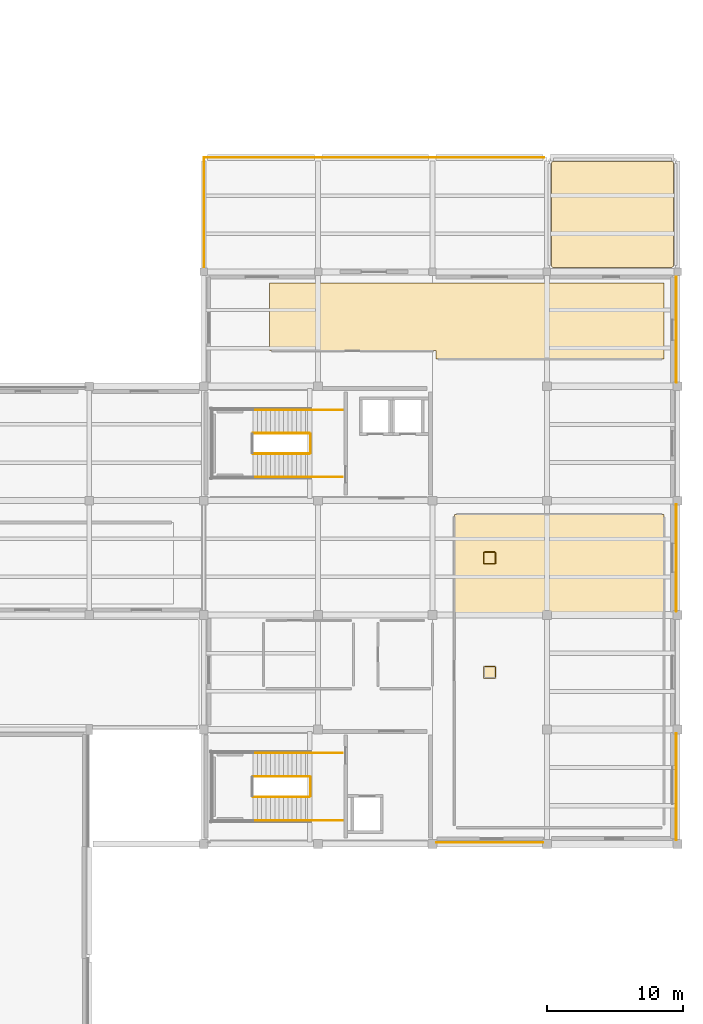
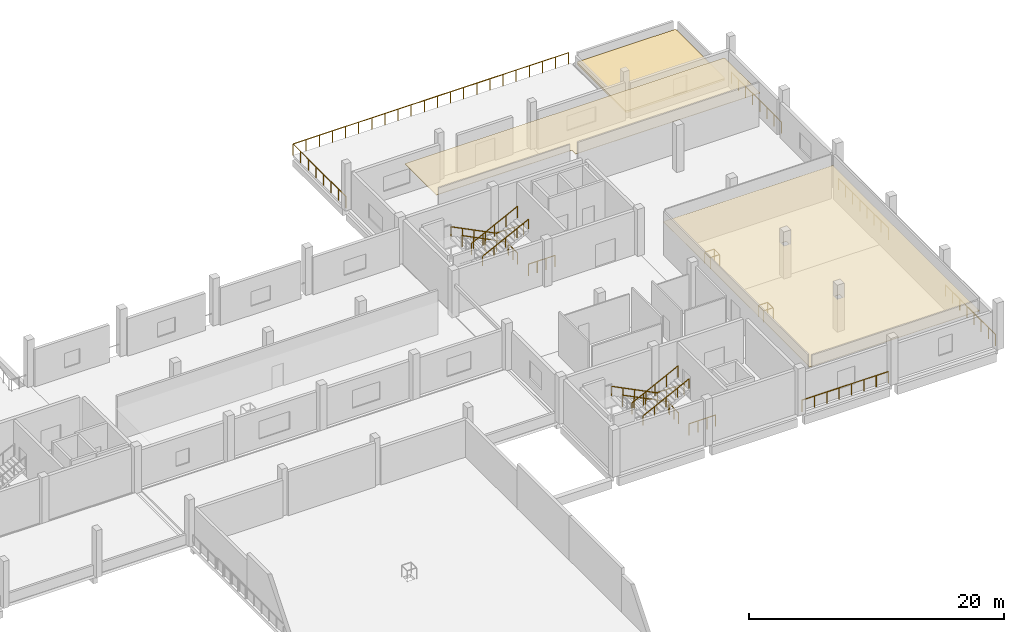
# One storey, part 46 of 46: 21 railings, 3 coverings.
"""IFC4 building model written with IfcOpenShell, lengths in metres."""

from ifc_helpers import new_model, si_unit, derived_unit, direction, frame, origin, origin_2d, place, context, subcontext, project, spatial, polyline, circle, outline, extrude, material, layer, layer_set, type_object, element, save


model = new_model("IFC4")

# Units and contexts
model_context = context("Model", 3, precision=1e-05, world=origin(), true_north=direction((0.0, 1.0)))
body_context = subcontext(model_context, "Body", "Model", "MODEL_VIEW")
ifc_project = project(units=[si_unit("LENGTHUNIT", "METRE"), si_unit("AREAUNIT", "SQUARE_METRE"), si_unit("VOLUMEUNIT", "CUBIC_METRE"), si_unit("PLANEANGLEUNIT", "RADIAN"), si_unit("MASSUNIT", "GRAM", prefix="KILO"), derived_unit("THERMALTRANSMITTANCEUNIT", [(si_unit("POWERUNIT", "WATT"), 1), (si_unit("LENGTHUNIT", "METRE"), -2), (si_unit("THERMODYNAMICTEMPERATUREUNIT", "KELVIN"), -1)])], contexts=[model_context])

# Site, building, storey
site_placement = place(None, origin())
site = spatial("IfcSite", under=ifc_project, at=site_placement, CompositionType="ELEMENT")
building_placement = place(site_placement, origin())
building = spatial("IfcBuilding", under=site, at=building_placement, Name="Elbkamm Science Centre", CompositionType="ELEMENT")
storey_placement = place(building_placement, frame((0.0, 0.0, 9.89990234375)))
storey = spatial("IfcBuildingStorey", under=building, at=storey_placement, Name="L02", CompositionType="ELEMENT", Elevation=9.89990234375)

# Coverings
ifc_material_1 = material(Name="Perforated acoustic mineral fibre ceiling tile")
ifc_layer_1 = layer(ifc_material_1, 0.0400390625)
ifc_layer_set_1 = layer_set([ifc_layer_1], Name="Perforated acoustic mineral fibre ceiling tile")
covering_type_1 = type_object("IfcCoveringType", Name="COV-CEIL-ACOUSTIC-40", PredefinedType="CEILING", material=ifc_layer_set_1)
covering_1_placement = place(storey_placement, frame((0.0, 0.0, 3.070068359375)))
element("IfcCovering", 1, at=covering_1_placement, inside=storey, type_object=covering_type_1, Name="L02 Robotics and Maker Workshop Acoustic Ceiling", PredefinedType="CEILING", context=body_context, shape_type="SweptSolid", body=[
    extrude(outline(polyline([(143.062744140625, 61.41552734375), (143.06103515625, 61.41650390625), (143.059326171875, 61.41748046875), (143.0576171875, 61.41845703125), (143.055908203125, 61.419189453125), (143.053955078125, 61.419677734375), (143.052001953125, 61.419921875), (143.050048828125, 61.419921875), (130.820068359375, 61.419921875), (130.820068359375, 66.3798828125), (159.780029296875, 66.3798828125), (159.780029296875, 60.820068359375), (143.070068359375, 60.820068359375), (143.070068359375, 61.39990234375), (143.06982421875, 61.402099609375), (143.069580078125, 61.40380859375), (143.069091796875, 61.40576171875), (143.068603515625, 61.40771484375), (143.067626953125, 61.409423828125), (143.066650390625, 61.4111328125), (143.0654296875, 61.41259765625), (143.064208984375, 61.4140625), (143.062744140625, 61.41552734375)])), origin(), (0.0, 0.0, 1.0), 0.0400390625),
])
covering_2_placement = place(storey_placement, frame((0.0, 0.0, 3.070068359375)))
element("IfcCovering", 2, at=covering_2_placement, inside=storey, type_object=covering_type_1, Name="L02 Climate Simulation Seminar Studio Acoustic Ceiling", PredefinedType="CEILING", context=body_context, shape_type="SweptSolid", body=[
    extrude(outline(polyline([(144.419921875, 26.419921875), (144.419921875, 49.3798828125), (159.780029296875, 49.3798828125), (159.780029296875, 26.419921875), (144.419921875, 26.419921875)]), holes=[polyline([(150.97998046875, 33.3798828125), (151.419921875, 33.3798828125), (151.419921875, 33.820068359375), (150.97998046875, 33.820068359375), (150.97998046875, 33.3798828125)]), polyline([(150.97998046875, 42.219970703125), (150.97998046875, 41.780029296875), (151.419921875, 41.780029296875), (151.419921875, 42.219970703125), (150.97998046875, 42.219970703125)])]), origin(), (0.0, 0.0, 1.0), 0.0400390625),
])
ifc_material_2 = material(Name="EPDM waterproof roofing membrane and mineral wool insulation")
ifc_layer_2 = layer(ifc_material_2, 0.179931640625)
ifc_layer_set_2 = layer_set([ifc_layer_2], Name="EPDM waterproof roofing membrane and mineral wool insulation")
covering_type_2 = type_object("IfcCoveringType", Name="COV-ROOFING-180", PredefinedType="ROOFING", material=ifc_layer_set_2)
covering_3_placement = place(storey_placement, origin())
element("IfcCovering", 3, at=covering_3_placement, inside=storey, type_object=covering_type_2, Name="L02 Insulated Roof Membrane Covering 10", PredefinedType="ROOFING", context=body_context, shape_type="SweptSolid", body=[
    extrude(outline(polyline([(160.496826171875, 67.65087890625), (160.493408203125, 67.636962890625), (160.488037109375, 67.62255859375), (160.48193359375, 67.609375), (160.474365234375, 67.5966796875), (160.4658203125, 67.585205078125), (160.455810546875, 67.57421875), (160.44482421875, 67.564208984375), (160.43310546875, 67.5556640625), (160.420654296875, 67.548095703125), (160.407470703125, 67.5419921875), (160.39306640625, 67.53662109375), (160.379150390625, 67.533203125), (160.36474609375, 67.531005859375), (160.342529296875, 67.530029296875), (151.6875, 67.530029296875), (151.665283203125, 67.531005859375), (151.65087890625, 67.533203125), (151.636962890625, 67.53662109375), (151.62255859375, 67.5419921875), (151.609375, 67.548095703125), (151.5966796875, 67.5556640625), (151.585205078125, 67.564208984375), (151.57421875, 67.57421875), (151.564208984375, 67.585205078125), (151.5556640625, 67.5966796875), (151.548095703125, 67.609375), (151.5419921875, 67.62255859375), (151.53662109375, 67.636962890625), (151.533203125, 67.65087890625), (151.531005859375, 67.665283203125), (151.530029296875, 67.6875), (151.530029296875, 75.142578125), (151.531005859375, 75.164794921875), (151.533203125, 75.17919921875), (151.53662109375, 75.193115234375), (151.5419921875, 75.20751953125), (151.548095703125, 75.220703125), (151.5556640625, 75.233154296875), (151.564208984375, 75.244873046875), (151.57421875, 75.255859375), (151.585205078125, 75.265869140625), (151.5966796875, 75.2744140625), (151.609375, 75.281982421875), (151.62255859375, 75.2880859375), (151.636962890625, 75.293212890625), (151.65087890625, 75.296875), (151.665283203125, 75.298828125), (151.6875, 75.300048828125), (160.342529296875, 75.300048828125), (160.36474609375, 75.298828125), (160.379150390625, 75.296875), (160.39306640625, 75.293212890625), (160.407470703125, 75.2880859375), (160.420654296875, 75.281982421875), (160.43310546875, 75.2744140625), (160.44482421875, 75.265869140625), (160.455810546875, 75.255859375), (160.4658203125, 75.244873046875), (160.474365234375, 75.233154296875), (160.48193359375, 75.220703125), (160.488037109375, 75.20751953125), (160.493408203125, 75.193115234375), (160.496826171875, 75.17919921875), (160.498779296875, 75.164794921875), (160.5, 75.142578125), (160.5, 67.6875), (160.498779296875, 67.665283203125), (160.496826171875, 67.65087890625)])), origin(), (0.0, 0.0, 1.0), 0.18017578125),
])

# Railings
ifc_material_3 = material(Name="Stainless steel EN 1.4401", Category="steel")
railing_type_1 = type_object("IfcRailingType", Name="RAIL-EXT-GUARD-1100", PredefinedType="GUARDRAIL", material=ifc_material_3)
railing_1_placement = place(storey_placement, frame((126.02490234375, 67.280029296875, 0.0)))
element("IfcRailing", 4, at=railing_1_placement, inside=storey, type_object=railing_type_1, Name="L02 Outdoor Terrace Perimeter Guard 005", PredefinedType="GUARDRAIL", context=body_context, shape_type="SweptSolid", body=[
    extrude(circle(Radius=0.02392578125, at=origin_2d()), frame((0.0, 0.0, 1.078125), z_axis=(0.0, 1.0, 0.0), x_axis=(-1.0, 0.0, 0.0)), (0.0, 0.0, 1.0), 8.2900390625),
    extrude(circle(Radius=0.02392578125, at=origin_2d()), frame((0.030029296875, 8.320068359375, 1.078125), z_axis=(1.0, 0.0, 0.0), x_axis=(0.0, 1.0, 0.0)), (0.0, 0.0, 1.0), 24.927978515625),
    extrude(circle(Radius=0.02001953125, at=origin_2d()), origin(), (0.0, 0.0, 1.0), 1.048095703125),
    extrude(circle(Radius=0.02001953125, at=origin_2d()), frame((0.0, 1.1884765625, 0.0)), (0.0, 0.0, 1.0), 1.048095703125),
    extrude(circle(Radius=0.02001953125, at=origin_2d()), frame((0.0, 2.377197265625, 0.0)), (0.0, 0.0, 1.0), 1.048095703125),
    extrude(circle(Radius=0.02001953125, at=origin_2d()), frame((0.0, 3.565673828125, 0.0)), (0.0, 0.0, 1.0), 1.048095703125),
    extrude(circle(Radius=0.02001953125, at=origin_2d()), frame((0.0, 4.75439453125, 0.0)), (0.0, 0.0, 1.0), 1.048095703125),
    extrude(circle(Radius=0.02001953125, at=origin_2d()), frame((0.0, 5.94287109375, 0.0)), (0.0, 0.0, 1.0), 1.048095703125),
    extrude(circle(Radius=0.02001953125, at=origin_2d()), frame((0.0, 7.131591796875, 0.0)), (0.0, 0.0, 1.0), 1.048095703125),
    extrude(circle(Radius=0.02001953125, at=origin_2d()), frame((0.0, 8.320068359375, 0.0)), (0.0, 0.0, 1.0), 1.048095703125),
    extrude(circle(Radius=0.02001953125, at=origin_2d()), frame((1.1884765625, 8.320068359375, 0.0)), (0.0, 0.0, 1.0), 1.048095703125),
    extrude(circle(Radius=0.02001953125, at=origin_2d()), frame((2.376953125, 8.320068359375, 0.0)), (0.0, 0.0, 1.0), 1.048095703125),
    extrude(circle(Radius=0.02001953125, at=origin_2d()), frame((3.5654296875, 8.320068359375, 0.0)), (0.0, 0.0, 1.0), 1.048095703125),
    extrude(circle(Radius=0.02001953125, at=origin_2d()), frame((4.75390625, 8.320068359375, 0.0)), (0.0, 0.0, 1.0), 1.048095703125),
    extrude(circle(Radius=0.02001953125, at=origin_2d()), frame((5.9423828125, 8.320068359375, 0.0)), (0.0, 0.0, 1.0), 1.048095703125),
    extrude(circle(Radius=0.02001953125, at=origin_2d()), frame((7.130859375, 8.320068359375, 0.0)), (0.0, 0.0, 1.0), 1.048095703125),
    extrude(circle(Radius=0.02001953125, at=origin_2d()), frame((8.3193359375, 8.320068359375, 0.0)), (0.0, 0.0, 1.0), 1.048095703125),
    extrude(circle(Radius=0.02001953125, at=origin_2d()), frame((9.5078125, 8.320068359375, 0.0)), (0.0, 0.0, 1.0), 1.048095703125),
    extrude(circle(Radius=0.02001953125, at=origin_2d()), frame((10.6962890625, 8.320068359375, 0.0)), (0.0, 0.0, 1.0), 1.048095703125),
    extrude(circle(Radius=0.02001953125, at=origin_2d()), frame((11.884765625, 8.320068359375, 0.0)), (0.0, 0.0, 1.0), 1.048095703125),
    extrude(circle(Radius=0.02001953125, at=origin_2d()), frame((13.0732421875, 8.320068359375, 0.0)), (0.0, 0.0, 1.0), 1.048095703125),
    extrude(circle(Radius=0.02001953125, at=origin_2d()), frame((14.26171875, 8.320068359375, 0.0)), (0.0, 0.0, 1.0), 1.048095703125),
    extrude(circle(Radius=0.02001953125, at=origin_2d()), frame((15.4501953125, 8.320068359375, 0.0)), (0.0, 0.0, 1.0), 1.048095703125),
    extrude(circle(Radius=0.02001953125, at=origin_2d()), frame((16.638671875, 8.320068359375, 0.0)), (0.0, 0.0, 1.0), 1.048095703125),
    extrude(circle(Radius=0.02001953125, at=origin_2d()), frame((17.8271484375, 8.320068359375, 0.0)), (0.0, 0.0, 1.0), 1.048095703125),
    extrude(circle(Radius=0.02001953125, at=origin_2d()), frame((19.015625, 8.320068359375, 0.0)), (0.0, 0.0, 1.0), 1.048095703125),
    extrude(circle(Radius=0.02001953125, at=origin_2d()), frame((20.2041015625, 8.320068359375, 0.0)), (0.0, 0.0, 1.0), 1.048095703125),
    extrude(circle(Radius=0.02001953125, at=origin_2d()), frame((21.392578125, 8.320068359375, 0.0)), (0.0, 0.0, 1.0), 1.048095703125),
    extrude(circle(Radius=0.02001953125, at=origin_2d()), frame((22.5810546875, 8.320068359375, 0.0)), (0.0, 0.0, 1.0), 1.048095703125),
    extrude(circle(Radius=0.02001953125, at=origin_2d()), frame((23.76953125, 8.320068359375, 0.0)), (0.0, 0.0, 1.0), 1.048095703125),
    extrude(circle(Radius=0.02001953125, at=origin_2d()), frame((24.9580078125, 8.320068359375, 0.0)), (0.0, 0.0, 1.0), 1.048095703125),
])
railing_2_placement = place(storey_placement, frame((160.699951171875, 66.919921875, 0.0)))
element("IfcRailing", 5, at=railing_2_placement, inside=storey, type_object=railing_type_1, Name="L02 Slab Edge Perimeter Guard 061", PredefinedType="GUARDRAIL", context=body_context, shape_type="SweptSolid", body=[
    extrude(circle(Radius=0.02392578125, at=origin_2d()), frame((0.0, 0.0, 1.078125), z_axis=(0.0, -1.0, 0.0), x_axis=(1.0, 0.0, 0.0)), (0.0, 0.0, 1.0), 7.83984375),
    extrude(circle(Radius=0.02001953125, at=origin_2d()), origin(), (0.0, 0.0, 1.0), 1.048095703125),
    extrude(circle(Radius=0.02001953125, at=origin_2d()), frame((0.0, -1.119873046875, 0.0)), (0.0, 0.0, 1.0), 1.048095703125),
    extrude(circle(Radius=0.02001953125, at=origin_2d()), frame((0.0, -2.239990234375, 0.0)), (0.0, 0.0, 1.0), 1.048095703125),
    extrude(circle(Radius=0.02001953125, at=origin_2d()), frame((0.0, -3.35986328125, 0.0)), (0.0, 0.0, 1.0), 1.048095703125),
    extrude(circle(Radius=0.02001953125, at=origin_2d()), frame((0.0, -4.47998046875, 0.0)), (0.0, 0.0, 1.0), 1.048095703125),
    extrude(circle(Radius=0.02001953125, at=origin_2d()), frame((0.0, -5.599853515625, 0.0)), (0.0, 0.0, 1.0), 1.048095703125),
    extrude(circle(Radius=0.02001953125, at=origin_2d()), frame((0.0, -6.719970703125, 0.0)), (0.0, 0.0, 1.0), 1.048095703125),
    extrude(circle(Radius=0.02001953125, at=origin_2d()), frame((0.0, -7.83984375, 0.0)), (0.0, 0.0, 1.0), 1.048095703125),
])
for number, where, name in (
    (6, (160.699951171875, 50.1201171875, 0.0), "L02 Slab Edge Perimeter Guard 062"),
    (7, (160.699951171875, 33.320068359375, 0.0), "L02 Slab Edge Perimeter Guard 063"),
):
    element("IfcRailing", number, at=place(storey_placement, frame(where)), inside=storey, type_object=railing_type_1, Name=name, PredefinedType="GUARDRAIL", context=body_context, shape_type="SweptSolid", body=[
        extrude(circle(Radius=0.02392578125, at=origin_2d()), frame((0.0, 0.0, 1.078125), z_axis=(0.0, -1.0, 0.0), x_axis=(1.0, 0.0, 0.0)), (0.0, 0.0, 1.0), 7.840087890625),
        extrude(circle(Radius=0.02001953125, at=origin_2d()), origin(), (0.0, 0.0, 1.0), 1.048095703125),
        extrude(circle(Radius=0.02001953125, at=origin_2d()), frame((0.0, -1.1201171875, 0.0)), (0.0, 0.0, 1.0), 1.048095703125),
        extrude(circle(Radius=0.02001953125, at=origin_2d()), frame((0.0, -2.239990234375, 0.0)), (0.0, 0.0, 1.0), 1.048095703125),
        extrude(circle(Radius=0.02001953125, at=origin_2d()), frame((0.0, -3.360107421875, 0.0)), (0.0, 0.0, 1.0), 1.048095703125),
        extrude(circle(Radius=0.02001953125, at=origin_2d()), frame((0.0, -4.47998046875, 0.0)), (0.0, 0.0, 1.0), 1.048095703125),
        extrude(circle(Radius=0.02001953125, at=origin_2d()), frame((0.0, -5.60009765625, 0.0)), (0.0, 0.0, 1.0), 1.048095703125),
        extrude(circle(Radius=0.02001953125, at=origin_2d()), frame((0.0, -6.719970703125, 0.0)), (0.0, 0.0, 1.0), 1.048095703125),
        extrude(circle(Radius=0.02001953125, at=origin_2d()), frame((0.0, -7.840087890625, 0.0)), (0.0, 0.0, 1.0), 1.048095703125),
    ])
railing_3_placement = place(storey_placement, frame((150.919921875, 25.300048828125, 0.0)))
element("IfcRailing", 8, at=railing_3_placement, inside=storey, type_object=railing_type_1, Name="L02 Slab Edge Perimeter Guard 064", PredefinedType="GUARDRAIL", context=body_context, shape_type="SweptSolid", body=[
    extrude(circle(Radius=0.02392578125, at=origin_2d()), frame((0.0, 0.0, 1.078125), z_axis=(-1.0, 0.0, 0.0), x_axis=(0.0, -1.0, 0.0)), (0.0, 0.0, 1.0), 7.83984375),
    extrude(circle(Radius=0.02001953125, at=origin_2d()), origin(), (0.0, 0.0, 1.0), 1.048095703125),
    extrude(circle(Radius=0.02001953125, at=origin_2d()), frame((-1.119873046875, 0.0, 0.0)), (0.0, 0.0, 1.0), 1.048095703125),
    extrude(circle(Radius=0.02001953125, at=origin_2d()), frame((-2.239990234375, 0.0, 0.0)), (0.0, 0.0, 1.0), 1.048095703125),
    extrude(circle(Radius=0.02001953125, at=origin_2d()), frame((-3.35986328125, 0.0, 0.0)), (0.0, 0.0, 1.0), 1.048095703125),
    extrude(circle(Radius=0.02001953125, at=origin_2d()), frame((-4.47998046875, 0.0, 0.0)), (0.0, 0.0, 1.0), 1.048095703125),
    extrude(circle(Radius=0.02001953125, at=origin_2d()), frame((-5.599853515625, 0.0, 0.0)), (0.0, 0.0, 1.0), 1.048095703125),
    extrude(circle(Radius=0.02001953125, at=origin_2d()), frame((-6.719970703125, 0.0, 0.0)), (0.0, 0.0, 1.0), 1.048095703125),
    extrude(circle(Radius=0.02001953125, at=origin_2d()), frame((-7.83984375, 0.0, 0.0)), (0.0, 0.0, 1.0), 1.048095703125),
])
railing_type_2 = type_object("IfcRailingType", Name="RAIL-GUARD-1100", PredefinedType="GUARDRAIL", material=ifc_material_3)
railing_4_placement = place(storey_placement, frame((133.780029296875, 55.35009765625, 0.160888671875)))
element("IfcRailing", 9, at=railing_4_placement, inside=storey, type_object=railing_type_2, Name="L02 ST-C3 stair guard 1", PredefinedType="GUARDRAIL", context=body_context, shape_type="SweptSolid", body=[
    extrude(circle(Radius=0.02392578125, at=origin_2d()), frame((0.0, 0.0, 1.078125), z_axis=(-0.893639106791, 0.0, 0.448786304173), x_axis=(0.0, -1.0, 0.0)), (0.0, 0.0, 1.0), 4.655029296875),
    extrude(circle(Radius=0.02001953125, at=origin_2d()), origin(), (0.0, 0.0, 1.0), 1.048095703125),
    extrude(circle(Radius=0.02001953125, at=origin_2d()), frame((-1.0400390625, 0.0, 0.522216796875)), (0.0, 0.0, 1.0), 1.048095703125),
    extrude(circle(Radius=0.02001953125, at=origin_2d()), frame((-2.080078125, 0.0, 1.04443359375)), (0.0, 0.0, 1.0), 1.048095703125),
    extrude(circle(Radius=0.02001953125, at=origin_2d()), frame((-3.119873046875, 0.0, 1.56689453125)), (0.0, 0.0, 1.0), 1.048095703125),
    extrude(circle(Radius=0.02001953125, at=origin_2d()), frame((-4.159912109375, 0.0, 2.089111328125)), (0.0, 0.0, 1.0), 1.048095703125),
])
railing_5_placement = place(storey_placement, frame((129.6201171875, 53.85009765625, 2.410888671875)))
element("IfcRailing", 10, at=railing_5_placement, inside=storey, type_object=railing_type_2, Name="L02 ST-C3 stair guard 6", PredefinedType="GUARDRAIL", context=body_context, shape_type="SweptSolid", body=[
    extrude(circle(Radius=0.02392578125, at=origin_2d()), frame((0.0, 0.0, 1.078125), z_axis=(0.893639106791, 0.0, 0.448786304173), x_axis=(0.0, 1.0, 0.0)), (0.0, 0.0, 1.0), 4.655029296875),
    extrude(circle(Radius=0.02001953125, at=origin_2d()), origin(), (0.0, 0.0, 1.0), 1.048095703125),
    extrude(circle(Radius=0.02001953125, at=origin_2d()), frame((1.0400390625, 0.0, 0.522216796875)), (0.0, 0.0, 1.0), 1.048095703125),
    extrude(circle(Radius=0.02001953125, at=origin_2d()), frame((2.080078125, 0.0, 1.04443359375)), (0.0, 0.0, 1.0), 1.048095703125),
    extrude(circle(Radius=0.02001953125, at=origin_2d()), frame((3.119873046875, 0.0, 1.56689453125)), (0.0, 0.0, 1.0), 1.048095703125),
    extrude(circle(Radius=0.02001953125, at=origin_2d()), frame((4.159912109375, 0.0, 2.089111328125)), (0.0, 0.0, 1.0), 1.048095703125),
])
railing_6_placement = place(storey_placement, frame((133.830078125, 55.300048828125, 0.0)))
element("IfcRailing", 11, at=railing_6_placement, inside=storey, type_object=railing_type_2, Name="L02 ST-C3 stair guard 7", PredefinedType="GUARDRAIL", context=body_context, shape_type="SweptSolid", body=[
    extrude(circle(Radius=0.02392578125, at=origin_2d()), frame((0.0, 0.0, 1.078125), z_axis=(0.0, -1.0, 0.0), x_axis=(1.0, 0.0, 0.0)), (0.0, 0.0, 1.0), 1.400146484375),
    extrude(circle(Radius=0.02001953125, at=origin_2d()), origin(), (0.0, 0.0, 1.0), 1.048095703125),
    extrude(circle(Radius=0.02001953125, at=origin_2d()), frame((0.0, -0.7001953125, 0.0)), (0.0, 0.0, 1.0), 1.048095703125),
    extrude(circle(Radius=0.02001953125, at=origin_2d()), frame((0.0, -1.400146484375, 0.0)), (0.0, 0.0, 1.0), 1.048095703125),
])
for number, where, name in (
    (12, (136.199951171875, 57.070068359375, 0.0), "L02 ST-C3 stair guard 8"),
    (13, (136.199951171875, 52.1298828125, 0.0), "L02 ST-C3 stair guard 9"),
):
    element("IfcRailing", number, at=place(storey_placement, frame(where)), inside=storey, type_object=railing_type_2, Name=name, PredefinedType="GUARDRAIL", context=body_context, shape_type="SweptSolid", body=[
        extrude(circle(Radius=0.02392578125, at=origin_2d()), frame((0.0, 0.0, 1.078125), z_axis=(-1.0, 0.0, 0.0), x_axis=(0.0, -1.0, 0.0)), (0.0, 0.0, 1.0), 2.419921875),
        extrude(circle(Radius=0.02001953125, at=origin_2d()), origin(), (0.0, 0.0, 1.0), 1.048095703125),
        extrude(circle(Radius=0.02001953125, at=origin_2d()), frame((-0.806640625, 0.0, 0.0)), (0.0, 0.0, 1.0), 1.048095703125),
        extrude(circle(Radius=0.02001953125, at=origin_2d()), frame((-1.61328125, 0.0, 0.0)), (0.0, 0.0, 1.0), 1.048095703125),
        extrude(circle(Radius=0.02001953125, at=origin_2d()), frame((-2.419921875, 0.0, 0.0)), (0.0, 0.0, 1.0), 1.048095703125),
    ])
railing_7_placement = place(storey_placement, frame((133.780029296875, 30.14990234375, 0.160888671875)))
element("IfcRailing", 14, at=railing_7_placement, inside=storey, type_object=railing_type_2, Name="L02 ST-C4 stair guard 1", PredefinedType="GUARDRAIL", context=body_context, shape_type="SweptSolid", body=[
    extrude(circle(Radius=0.02392578125, at=origin_2d()), frame((0.0, 0.0, 1.078125), z_axis=(-0.893639106791, 0.0, 0.448786304173), x_axis=(0.0, -1.0, 0.0)), (0.0, 0.0, 1.0), 4.655029296875),
    extrude(circle(Radius=0.02001953125, at=origin_2d()), origin(), (0.0, 0.0, 1.0), 1.048095703125),
    extrude(circle(Radius=0.02001953125, at=origin_2d()), frame((-1.0400390625, 0.0, 0.522216796875)), (0.0, 0.0, 1.0), 1.048095703125),
    extrude(circle(Radius=0.02001953125, at=origin_2d()), frame((-2.080078125, 0.0, 1.04443359375)), (0.0, 0.0, 1.0), 1.048095703125),
    extrude(circle(Radius=0.02001953125, at=origin_2d()), frame((-3.119873046875, 0.0, 1.56689453125)), (0.0, 0.0, 1.0), 1.048095703125),
    extrude(circle(Radius=0.02001953125, at=origin_2d()), frame((-4.159912109375, 0.0, 2.089111328125)), (0.0, 0.0, 1.0), 1.048095703125),
])
railing_8_placement = place(storey_placement, frame((129.6201171875, 28.64990234375, 2.410888671875)))
element("IfcRailing", 15, at=railing_8_placement, inside=storey, type_object=railing_type_2, Name="L02 ST-C4 stair guard 6", PredefinedType="GUARDRAIL", context=body_context, shape_type="SweptSolid", body=[
    extrude(circle(Radius=0.02392578125, at=origin_2d()), frame((0.0, 0.0, 1.078125), z_axis=(0.893639106791, 0.0, 0.448786304173), x_axis=(0.0, 1.0, 0.0)), (0.0, 0.0, 1.0), 4.655029296875),
    extrude(circle(Radius=0.02001953125, at=origin_2d()), origin(), (0.0, 0.0, 1.0), 1.048095703125),
    extrude(circle(Radius=0.02001953125, at=origin_2d()), frame((1.0400390625, 0.0, 0.522216796875)), (0.0, 0.0, 1.0), 1.048095703125),
    extrude(circle(Radius=0.02001953125, at=origin_2d()), frame((2.080078125, 0.0, 1.04443359375)), (0.0, 0.0, 1.0), 1.048095703125),
    extrude(circle(Radius=0.02001953125, at=origin_2d()), frame((3.119873046875, 0.0, 1.56689453125)), (0.0, 0.0, 1.0), 1.048095703125),
    extrude(circle(Radius=0.02001953125, at=origin_2d()), frame((4.159912109375, 0.0, 2.089111328125)), (0.0, 0.0, 1.0), 1.048095703125),
])
railing_9_placement = place(storey_placement, frame((133.830078125, 30.10009765625, 0.0)))
element("IfcRailing", 16, at=railing_9_placement, inside=storey, type_object=railing_type_2, Name="L02 ST-C4 stair guard 7", PredefinedType="GUARDRAIL", context=body_context, shape_type="SweptSolid", body=[
    extrude(circle(Radius=0.02392578125, at=origin_2d()), frame((0.0, 0.0, 1.078125), z_axis=(0.0, -1.0, 0.0), x_axis=(1.0, 0.0, 0.0)), (0.0, 0.0, 1.0), 1.400146484375),
    extrude(circle(Radius=0.02001953125, at=origin_2d()), origin(), (0.0, 0.0, 1.0), 1.048095703125),
    extrude(circle(Radius=0.02001953125, at=origin_2d()), frame((0.0, -0.7001953125, 0.0)), (0.0, 0.0, 1.0), 1.048095703125),
    extrude(circle(Radius=0.02001953125, at=origin_2d()), frame((0.0, -1.400146484375, 0.0)), (0.0, 0.0, 1.0), 1.048095703125),
])
for number, where, name in (
    (17, (136.199951171875, 31.8701171875, 0.0), "L02 ST-C4 stair guard 8"),
    (18, (136.199951171875, 26.929931640625, 0.0), "L02 ST-C4 stair guard 9"),
):
    element("IfcRailing", number, at=place(storey_placement, frame(where)), inside=storey, type_object=railing_type_2, Name=name, PredefinedType="GUARDRAIL", context=body_context, shape_type="SweptSolid", body=[
        extrude(circle(Radius=0.02392578125, at=origin_2d()), frame((0.0, 0.0, 1.078125), z_axis=(-1.0, 0.0, 0.0), x_axis=(0.0, -1.0, 0.0)), (0.0, 0.0, 1.0), 2.419921875),
        extrude(circle(Radius=0.02001953125, at=origin_2d()), origin(), (0.0, 0.0, 1.0), 1.048095703125),
        extrude(circle(Radius=0.02001953125, at=origin_2d()), frame((-0.806640625, 0.0, 0.0)), (0.0, 0.0, 1.0), 1.048095703125),
        extrude(circle(Radius=0.02001953125, at=origin_2d()), frame((-1.61328125, 0.0, 0.0)), (0.0, 0.0, 1.0), 1.048095703125),
        extrude(circle(Radius=0.02001953125, at=origin_2d()), frame((-2.419921875, 0.0, 0.0)), (0.0, 0.0, 1.0), 1.048095703125),
    ])
for number, where, name in (
    (19, (146.570068359375, 37.3701171875, 0.0), "L02 Service Riser Opening Guardrail 018"),
    (20, (146.570068359375, 45.77001953125, 0.0), "L02 Service Riser Opening Guardrail 019"),
):
    element("IfcRailing", number, at=place(storey_placement, frame(where)), inside=storey, type_object=railing_type_2, Name=name, PredefinedType="GUARDRAIL", context=body_context, shape_type="SweptSolid", body=[
        extrude(circle(Radius=0.02392578125, at=origin_2d()), frame((0.0, 0.0, 1.078125), z_axis=(1.0, 0.0, 0.0), x_axis=(0.0, 1.0, 0.0)), (0.0, 0.0, 1.0), 0.829833984375),
        extrude(circle(Radius=0.02392578125, at=origin_2d()), frame((0.85986328125, 0.030029296875, 1.078125), z_axis=(0.0, 1.0, 0.0), x_axis=(-1.0, 0.0, 0.0)), (0.0, 0.0, 1.0), 0.7998046875),
        extrude(circle(Radius=0.02392578125, at=origin_2d()), frame((0.829833984375, 0.85986328125, 1.078125), z_axis=(-1.0, 0.0, 0.0), x_axis=(0.0, -1.0, 0.0)), (0.0, 0.0, 1.0), 0.7998046875),
        extrude(circle(Radius=0.02392578125, at=origin_2d()), frame((0.0, 0.829833984375, 1.078125), z_axis=(0.0, -1.0, 0.0), x_axis=(1.0, 0.0, 0.0)), (0.0, 0.0, 1.0), 0.829833984375),
        extrude(circle(Radius=0.02001953125, at=origin_2d()), origin(), (0.0, 0.0, 1.0), 1.048095703125),
        extrude(circle(Radius=0.02001953125, at=origin_2d()), frame((0.85986328125, 0.0, 0.0)), (0.0, 0.0, 1.0), 1.048095703125),
        extrude(circle(Radius=0.02001953125, at=origin_2d()), frame((0.85986328125, 0.85986328125, 0.0)), (0.0, 0.0, 1.0), 1.048095703125),
        extrude(circle(Radius=0.02001953125, at=origin_2d()), frame((0.0, 0.85986328125, 0.0)), (0.0, 0.0, 1.0), 1.048095703125),
    ])
railing_type_3 = type_object("IfcRailingType", Name="RAIL-HAND-900", PredefinedType="HANDRAIL", material=ifc_material_3)
railing_10_placement = place(storey_placement, frame((133.780029296875, 57.070068359375, 0.160888671875)))
element("IfcRailing", 21, at=railing_10_placement, inside=storey, type_object=railing_type_3, Name="L02 ST-C3 stair handrail 1", PredefinedType="HANDRAIL", context=body_context, shape_type="SweptSolid", body=[
    extrude(circle(Radius=0.02392578125, at=origin_2d()), frame((0.0, 0.0, 0.8779296875), z_axis=(-0.893639106791, 0.0, 0.448786304173), x_axis=(0.0, -1.0, 0.0)), (0.0, 0.0, 1.0), 4.655029296875),
    extrude(circle(Radius=0.02001953125, at=origin_2d()), origin(), (0.0, 0.0, 1.0), 0.847900390625),
    extrude(circle(Radius=0.02001953125, at=origin_2d()), frame((-1.0400390625, 0.0, 0.522216796875)), (0.0, 0.0, 1.0), 0.847900390625),
    extrude(circle(Radius=0.02001953125, at=origin_2d()), frame((-2.080078125, 0.0, 1.04443359375)), (0.0, 0.0, 1.0), 0.847900390625),
    extrude(circle(Radius=0.02001953125, at=origin_2d()), frame((-3.119873046875, 0.0, 1.56689453125)), (0.0, 0.0, 1.0), 0.847900390625),
    extrude(circle(Radius=0.02001953125, at=origin_2d()), frame((-4.159912109375, 0.0, 2.089111328125)), (0.0, 0.0, 1.0), 0.847900390625),
])
railing_11_placement = place(storey_placement, frame((129.6201171875, 52.1298828125, 2.410888671875)))
element("IfcRailing", 22, at=railing_11_placement, inside=storey, type_object=railing_type_3, Name="L02 ST-C3 stair handrail 2", PredefinedType="HANDRAIL", context=body_context, shape_type="SweptSolid", body=[
    extrude(circle(Radius=0.02392578125, at=origin_2d()), frame((0.0, 0.0, 0.8779296875), z_axis=(0.893639106791, 0.0, 0.448786304173), x_axis=(0.0, 1.0, 0.0)), (0.0, 0.0, 1.0), 4.655029296875),
    extrude(circle(Radius=0.02001953125, at=origin_2d()), origin(), (0.0, 0.0, 1.0), 0.847900390625),
    extrude(circle(Radius=0.02001953125, at=origin_2d()), frame((1.0400390625, 0.0, 0.522216796875)), (0.0, 0.0, 1.0), 0.847900390625),
    extrude(circle(Radius=0.02001953125, at=origin_2d()), frame((2.080078125, 0.0, 1.04443359375)), (0.0, 0.0, 1.0), 0.847900390625),
    extrude(circle(Radius=0.02001953125, at=origin_2d()), frame((3.119873046875, 0.0, 1.56689453125)), (0.0, 0.0, 1.0), 0.847900390625),
    extrude(circle(Radius=0.02001953125, at=origin_2d()), frame((4.159912109375, 0.0, 2.089111328125)), (0.0, 0.0, 1.0), 0.847900390625),
])
railing_12_placement = place(storey_placement, frame((133.780029296875, 31.8701171875, 0.160888671875)))
element("IfcRailing", 23, at=railing_12_placement, inside=storey, type_object=railing_type_3, Name="L02 ST-C4 stair handrail 1", PredefinedType="HANDRAIL", context=body_context, shape_type="SweptSolid", body=[
    extrude(circle(Radius=0.02392578125, at=origin_2d()), frame((0.0, 0.0, 0.8779296875), z_axis=(-0.893639106791, 0.0, 0.448786304173), x_axis=(0.0, -1.0, 0.0)), (0.0, 0.0, 1.0), 4.655029296875),
    extrude(circle(Radius=0.02001953125, at=origin_2d()), origin(), (0.0, 0.0, 1.0), 0.847900390625),
    extrude(circle(Radius=0.02001953125, at=origin_2d()), frame((-1.0400390625, 0.0, 0.522216796875)), (0.0, 0.0, 1.0), 0.847900390625),
    extrude(circle(Radius=0.02001953125, at=origin_2d()), frame((-2.080078125, 0.0, 1.04443359375)), (0.0, 0.0, 1.0), 0.847900390625),
    extrude(circle(Radius=0.02001953125, at=origin_2d()), frame((-3.119873046875, 0.0, 1.56689453125)), (0.0, 0.0, 1.0), 0.847900390625),
    extrude(circle(Radius=0.02001953125, at=origin_2d()), frame((-4.159912109375, 0.0, 2.089111328125)), (0.0, 0.0, 1.0), 0.847900390625),
])
railing_13_placement = place(storey_placement, frame((129.6201171875, 26.929931640625, 2.410888671875)))
element("IfcRailing", 24, at=railing_13_placement, inside=storey, type_object=railing_type_3, Name="L02 ST-C4 stair handrail 2", PredefinedType="HANDRAIL", context=body_context, shape_type="SweptSolid", body=[
    extrude(circle(Radius=0.02392578125, at=origin_2d()), frame((0.0, 0.0, 0.8779296875), z_axis=(0.893639106791, 0.0, 0.448786304173), x_axis=(0.0, 1.0, 0.0)), (0.0, 0.0, 1.0), 4.655029296875),
    extrude(circle(Radius=0.02001953125, at=origin_2d()), origin(), (0.0, 0.0, 1.0), 0.847900390625),
    extrude(circle(Radius=0.02001953125, at=origin_2d()), frame((1.0400390625, 0.0, 0.522216796875)), (0.0, 0.0, 1.0), 0.847900390625),
    extrude(circle(Radius=0.02001953125, at=origin_2d()), frame((2.080078125, 0.0, 1.04443359375)), (0.0, 0.0, 1.0), 0.847900390625),
    extrude(circle(Radius=0.02001953125, at=origin_2d()), frame((3.119873046875, 0.0, 1.56689453125)), (0.0, 0.0, 1.0), 0.847900390625),
    extrude(circle(Radius=0.02001953125, at=origin_2d()), frame((4.159912109375, 0.0, 2.089111328125)), (0.0, 0.0, 1.0), 0.847900390625),
])

save(model, "model.ifc")
